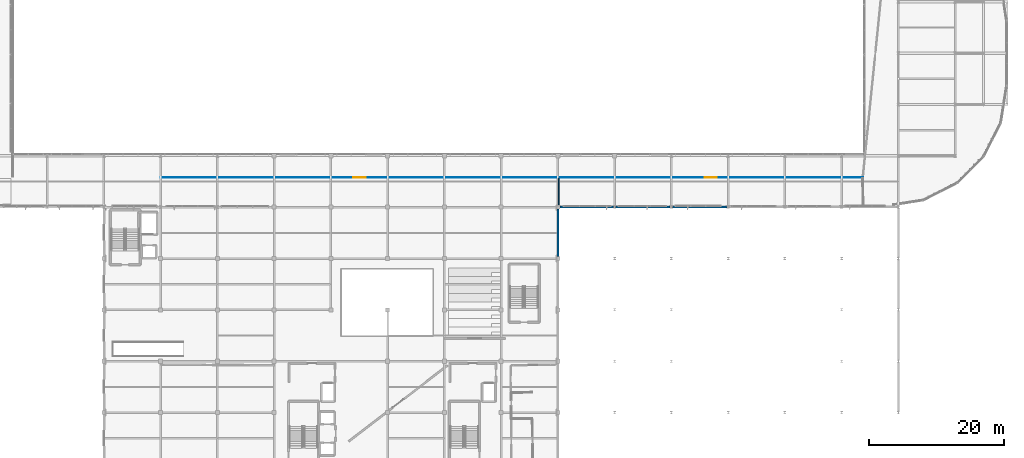
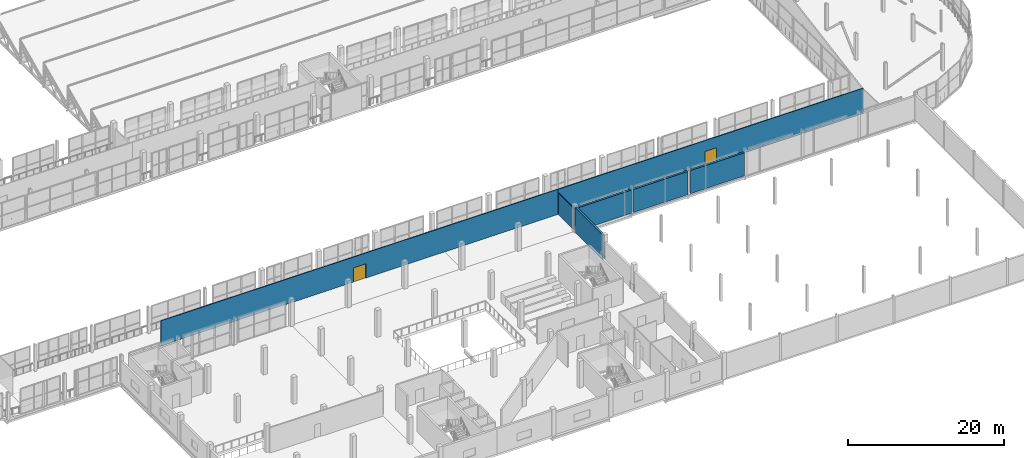
# One storey, part 195 of 217: 7 walls, 2 doors, 2 openings.
"""IFC4 building model written with IfcOpenShell, lengths in metres."""

from ifc_helpers import new_model, si_unit, direction, frame, frame_2d, origin, place, context, subcontext, project, spatial, rectangle, extrude, material, layer, layer_set, type_object, element, fill, save


model = new_model("IFC4")

# Units and contexts
model_context = context("Model", 3, precision=1e-05, world=origin(), true_north=direction((0.0, 1.0)))
body_context = subcontext(model_context, "Body", "Model", "MODEL_VIEW")
ifc_project = project(units=[si_unit("LENGTHUNIT", "METRE"), si_unit("AREAUNIT", "SQUARE_METRE"), si_unit("VOLUMEUNIT", "CUBIC_METRE"), si_unit("PLANEANGLEUNIT", "RADIAN"), si_unit("MASSUNIT", "GRAM", prefix="KILO")], contexts=[model_context])

# Site, building, storey
site_placement = place(None, origin())
site = spatial("IfcSite", under=ifc_project, at=site_placement, CompositionType="ELEMENT")
building_placement = place(site_placement, origin())
building = spatial("IfcBuilding", under=site, at=building_placement, Name="Zuvorla Pavilion Media Centre", CompositionType="ELEMENT")
storey_placement = place(building_placement, frame((0.0, 0.0, 9.60009765625)))
storey = spatial("IfcBuildingStorey", under=building, at=storey_placement, Name="L02", CompositionType="ELEMENT", Elevation=9.60009765625)

# Walls
ifc_material_1 = material(Name="White rendered concrete C32/40", Category="concrete")
ifc_layer_1 = layer(ifc_material_1, 0.300048828125)
ifc_layer_set_1 = layer_set([ifc_layer_1], Name="White rendered concrete C32/40")
wall_type_1 = type_object("IfcWallType", Name="WL-EXT-300", PredefinedType="SOLIDWALL", material=ifc_layer_set_1)
wall_1_placement = place(storey_placement, frame((133.813720703125, 44.0, 0.0), z_axis=(0.0, 0.0, 1.0), x_axis=(-1.0, 0.0, 0.0)))
element("IfcWall", 1, at=wall_1_placement, inside=storey, type_object=wall_type_1, Name="L02 exterior solid wall EW03 229", PredefinedType="SOLIDWALL", context=body_context, shape_type="SweptSolid", body=[
    extrude(rectangle(XDim=8.02734375, YDim=0.300048828125, at=frame_2d((4.013671875, 0.0))), origin(), (0.0, 0.0, 1.0), 3.616943359375),
])
wall_2_placement = place(storey_placement, frame((125.413818359375, 44.0, 0.0), z_axis=(0.0, 0.0, 1.0), x_axis=(-1.0, 0.0, 0.0)))
element("IfcWall", 2, at=wall_2_placement, inside=storey, type_object=wall_type_1, Name="L02 exterior solid wall EW03 230", PredefinedType="SOLIDWALL", context=body_context, shape_type="SweptSolid", body=[
    extrude(rectangle(XDim=8.059326171875, YDim=0.300048828125, at=frame_2d((4.02978515625, 0.0))), origin(), (0.0, 0.0, 1.0), 3.616943359375),
])
wall_3_placement = place(storey_placement, frame((117.04541015625, 44.0, 0.0), z_axis=(0.0, 0.0, 1.0), x_axis=(-1.0, 0.0, 0.0)))
element("IfcWall", 3, at=wall_3_placement, inside=storey, type_object=wall_type_1, Name="L02 exterior solid wall EW03 231", PredefinedType="SOLIDWALL", context=body_context, shape_type="SweptSolid", body=[
    extrude(rectangle(XDim=7.9453125, YDim=0.300048828125, at=frame_2d((3.97265625, 0.0))), origin(), (0.0, 0.0, 1.0), 3.616943359375),
])
wall_4_placement = place(storey_placement, frame((108.800048828125, 36.699951171875, 0.0), z_axis=(0.0, 0.0, 1.0), x_axis=(0.0, 1.0, 0.0)))
element("IfcWall", 4, at=wall_4_placement, inside=storey, type_object=wall_type_1, Name="L02 exterior solid wall EW03 236", PredefinedType="SOLIDWALL", context=body_context, shape_type="SweptSolid", body=[
    extrude(rectangle(XDim=7.0, YDim=0.300048828125, at=frame_2d((3.5, 0.0))), origin(), (0.0, 0.0, 1.0), 3.929931640625),
])

# Wall, opening, door
ifc_material_2 = material(Name="Lightweight gypsum partition")
ifc_layer_2 = layer(ifc_material_2, 0.1201171875)
ifc_layer_set_2 = layer_set([ifc_layer_2], Name="Lightweight gypsum partition")
wall_type_2 = type_object("IfcWallType", Name="WL-PRT-120", PredefinedType="PARTITIONING", material=ifc_layer_set_2)
wall_5_placement = place(storey_placement, frame((154.01953125, 48.39990234375, 0.0), z_axis=(0.0, 0.0, 1.0), x_axis=(-1.0, 0.0, 0.0)))
wall_5 = element("IfcWall", 5, at=wall_5_placement, inside=storey, type_object=wall_type_2, Name="L02 partition PT12 505", PredefinedType="PARTITIONING", context=body_context, shape_type="SweptSolid", body=[
    extrude(rectangle(XDim=45.239013671875, YDim=0.1201171875, at=frame_2d((22.61962890625, 0.0))), origin(), (0.0, 0.0, 1.0), 3.929931640625),
])
opening_1_placement = place(wall_5_placement, frame((21.744384765625, 0.0, 0.0)))
opening_1 = element("IfcOpeningElement", 6, at=opening_1_placement, cuts=wall_5, Name="Opening ID11", PredefinedType="OPENING", context=body_context, shape_type="SweptSolid", body=[
    extrude(rectangle(XDim=1.75, YDim=2.219970703125, at=frame_2d((0.875, 1.10986328125))), frame((0.0, 0.070068359375, 0.0), z_axis=(0.0, -1.0, 0.0), x_axis=(1.0, 0.0, 0.0)), (0.0, 0.0, 1.0), 0.14013671875),
])
ifc_material_3 = material(Name="Hardwood acoustic studio door in anodised frame", Category="wood")
door_type_1 = type_object("IfcDoorType", Name="DR-UNR-ID11", OperationType="NOTDEFINED", PredefinedType="DOOR", material=ifc_material_3)
door_1_placement = place(opening_1_placement, origin())
door_1 = element("IfcDoor", 7, at=door_1_placement, inside=storey, type_object=door_type_1, Name="Interior door ID11 212", OperationType="DOUBLE_DOOR_SINGLE_SWING", OverallHeight=2.219970703125, OverallWidth=1.75, PredefinedType="DOOR", context=body_context, shape_type="SweptSolid", body=[
    extrude(rectangle(XDim=1.75, YDim=2.219970703125, at=frame_2d((0.875, 1.10986328125))), frame((0.0, 0.02490234375, 0.0), z_axis=(0.0, -1.0, 0.0), x_axis=(1.0, 0.0, 0.0)), (0.0, 0.0, 1.0), 0.050048828125),
])
fill(opening_1, door_1)

wall_6_placement = place(storey_placement, frame((108.8095703125, 48.39990234375, 0.0), z_axis=(0.0, 0.0, 1.0), x_axis=(-1.0, 0.0, 0.0)))
wall_6 = element("IfcWall", 8, at=wall_6_placement, inside=storey, type_object=wall_type_2, Name="L02 partition PT12 506", PredefinedType="PARTITIONING", context=body_context, shape_type="SweptSolid", body=[
    extrude(rectangle(XDim=58.8291015625, YDim=0.1201171875, at=frame_2d((29.41455078125, 0.0))), origin(), (0.0, 0.0, 1.0), 3.929931640625),
])
opening_2_placement = place(wall_6_placement, frame((28.489501953125, 0.0, 0.0)))
opening_2 = element("IfcOpeningElement", 9, at=opening_2_placement, cuts=wall_6, Name="Opening ID12", PredefinedType="OPENING", context=body_context, shape_type="SweptSolid", body=[
    extrude(rectangle(XDim=1.85009765625, YDim=2.219970703125, at=frame_2d((0.925048828125, 1.10986328125))), frame((0.0, 0.070068359375, 0.0), z_axis=(0.0, -1.0, 0.0), x_axis=(1.0, 0.0, 0.0)), (0.0, 0.0, 1.0), 0.14013671875),
])
door_type_2 = type_object("IfcDoorType", Name="DR-UNR-ID12", OperationType="NOTDEFINED", PredefinedType="DOOR", material=ifc_material_3)
door_2_placement = place(opening_2_placement, origin())
door_2 = element("IfcDoor", 10, at=door_2_placement, inside=storey, type_object=door_type_2, Name="Interior door ID12 213", OperationType="DOUBLE_DOOR_SINGLE_SWING", OverallHeight=2.219970703125, OverallWidth=1.85009765625, PredefinedType="DOOR", context=body_context, shape_type="SweptSolid", body=[
    extrude(rectangle(XDim=1.85009765625, YDim=2.219970703125, at=frame_2d((0.925048828125, 1.10986328125))), frame((0.0, 0.02490234375, 0.0), z_axis=(0.0, -1.0, 0.0), x_axis=(1.0, 0.0, 0.0)), (0.0, 0.0, 1.0), 0.050048828125),
])
fill(opening_2, door_2)

# Wall
ifc_material_4 = material(Name="Acoustic gypsum stud partition")
ifc_layer_3 = layer(ifc_material_4, 0.14990234375)
ifc_layer_set_3 = layer_set([ifc_layer_3], Name="Acoustic gypsum stud partition")
wall_type_3 = type_object("IfcWallType", Name="WL-PRT-150", PredefinedType="PARTITIONING", material=ifc_layer_set_3)
wall_7_placement = place(storey_placement, frame((108.889892578125, 44.31005859375, 0.0), z_axis=(0.0, 0.0, 1.0), x_axis=(0.0, 1.0, 0.0)))
element("IfcWall", 11, at=wall_7_placement, inside=storey, type_object=wall_type_3, Name="L02 partition PT15 516", PredefinedType="PARTITIONING", context=body_context, shape_type="SweptSolid", body=[
    extrude(rectangle(XDim=4.0, YDim=0.14990234375, at=frame_2d((2.0, 0.0))), origin(), (0.0, 0.0, 1.0), 3.3046875),
])

save(model, "model.ifc")
